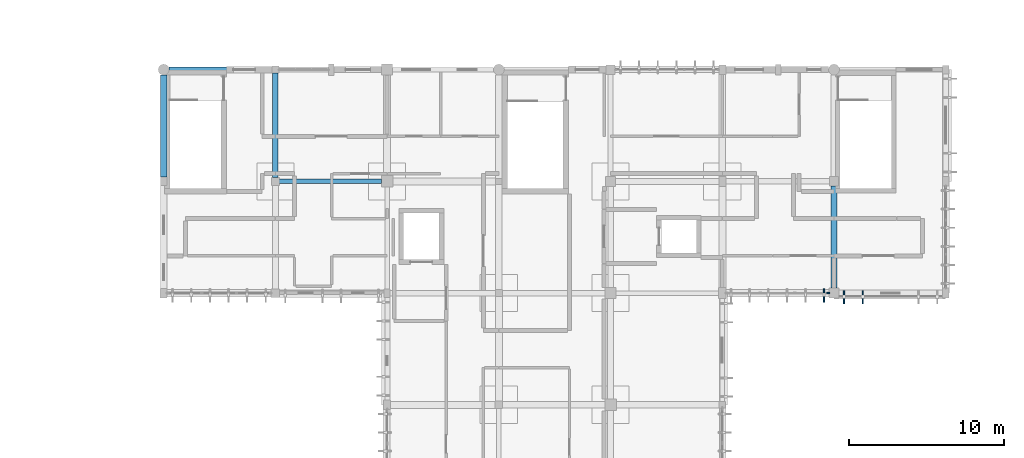
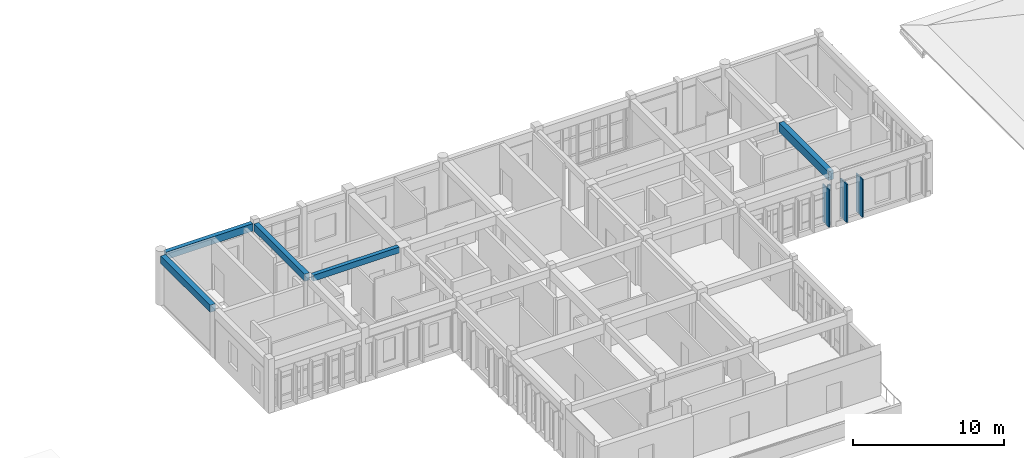
# One storey, part 4 of 19: 5 beams, 4 members, 1 element without a shape of its own.
"""IFC4 building model written with IfcOpenShell, lengths in metres."""

import ifcopenshell
import ifcopenshell.guid

model = None  # the IFC model being written
_history = None  # IfcOwnerHistory: only IFC2X3 demands one
_inside = {}  # id of a spatial element -> (the spatial element, [elements in it])
_under = {}  # id of a project, library or spatial element -> (it, [spatial elements below it])
_declared = {}  # id of a project -> (the project, [libraries it declares])
_typed = {}  # id of a type object -> (the type object, [elements of that type])
_made_of = {}  # id of a material, layer set ... -> (it, [elements and type objects made of it])


def new_model(schema):
    """Start an empty IFC model of exactly this schema.

    Asked for "IFC4X3", IfcOpenShell would pick the latest addendum, in which some entities
    have other attributes; the version numbers below select the first issue.
    IFC2X3 requires an IfcOwnerHistory on every rooted entity: one is made here for all.
    """
    global model, _history
    if schema == "IFC4X3":
        model = ifcopenshell.file(schema_version=(4, 3, 0, 0))
    else:
        model = ifcopenshell.file(schema=schema)
    _inside.clear()
    _under.clear()
    _declared.clear()
    _typed.clear()
    _made_of.clear()
    _history = None
    if model.schema == "IFC2X3":
        org = make("IfcOrganization", Name="unknown")
        user = make(
            "IfcPersonAndOrganization",
            ThePerson=make("IfcPerson", FamilyName="unknown"),
            TheOrganization=org,
        )
        app = make(
            "IfcApplication",
            ApplicationDeveloper=org,
            Version="unknown",
            ApplicationFullName="unknown",
            ApplicationIdentifier="unknown",
        )
        _history = make(
            "IfcOwnerHistory",
            OwningUser=user,
            OwningApplication=app,
            ChangeAction="ADDED",
            CreationDate=0,
        )
    return model


def make(cls, **values):
    """One entity of the class cls with the attributes given. An attribute that is None is left unset."""
    return model.create_entity(
        cls, **{name: value for name, value in values.items() if value is not None}
    )


def rooted(cls, **values):
    """An entity with a GlobalId (a new one), such as an element, a storey or a relation."""
    return make(cls, GlobalId=ifcopenshell.guid.new(), OwnerHistory=_history, **values)


def si_unit(unit_type, name, prefix=None):
    """IfcSIUnit, for example si_unit("LENGTHUNIT", "METRE", prefix="MILLI")."""
    return make("IfcSIUnit", UnitType=unit_type, Prefix=prefix, Name=name)


def assignment(units):
    """IfcUnitAssignment: the units of a project."""
    return None if units is None else make("IfcUnitAssignment", Units=units)


def point(xyz):
    """IfcCartesianPoint."""
    return None if xyz is None else make("IfcCartesianPoint", Coordinates=xyz)


def direction(xyz):
    """IfcDirection."""
    return None if xyz is None else make("IfcDirection", DirectionRatios=xyz)


def frame(location, z_axis=None, x_axis=None):
    """IfcAxis2Placement3D, a coordinate frame: its origin and axes. An axis left out is left unset."""
    return make(
        "IfcAxis2Placement3D",
        Location=point(location),
        Axis=direction(z_axis),
        RefDirection=direction(x_axis),
    )


def frame_2d(location, x_axis=None):
    """IfcAxis2Placement2D, a coordinate frame in the plane: its origin and x axis."""
    return make(
        "IfcAxis2Placement2D", Location=point(location), RefDirection=direction(x_axis)
    )


def origin():
    """The frame at (0, 0, 0) with its axes left unset."""
    return frame((0.0, 0.0, 0.0))


def origin_2d():
    """The frame at (0, 0) in the plane with its x axis left unset."""
    return frame_2d((0.0, 0.0))


def place(relative_to, where):
    """IfcLocalPlacement: puts the frame where relative to a parent placement (None: the world)."""
    return make(
        "IfcLocalPlacement", PlacementRelTo=relative_to, RelativePlacement=where
    )


def context(
    kind, dimensions, precision=None, world=None, true_north=None, identifier=None
):
    """IfcGeometricRepresentationContext, for example the 3D "Model" context."""
    return make(
        "IfcGeometricRepresentationContext",
        ContextIdentifier=identifier,
        ContextType=kind,
        CoordinateSpaceDimension=dimensions,
        Precision=precision,
        WorldCoordinateSystem=world,
        TrueNorth=true_north,
    )


def subcontext(parent, identifier, kind, view, scale=None):
    """IfcGeometricRepresentationSubContext, for example "Body" below "Model"."""
    return make(
        "IfcGeometricRepresentationSubContext",
        ContextIdentifier=identifier,
        ContextType=kind,
        ParentContext=parent,
        TargetScale=scale,
        TargetView=view,
    )


def project(units=None, contexts=None):
    """IfcProject with its units and contexts."""
    return rooted(
        "IfcProject",
        Name="project",
        RepresentationContexts=contexts,
        UnitsInContext=assignment(units),
    )


def spatial(cls, under=None, at=None, **own):
    """A site, building, storey or space (cls), placed at a placement, below another one or the project."""
    s = rooted(cls, ObjectPlacement=at, **own)
    if under is not None:
        _under.setdefault(under.id(), (under, []))[1].append(s)
    return s


def profile(cls, at=None, kind="AREA", **sizes):
    """A parametric profile (cls). Its sizes go by their IFC names, for example OverallWidth=200.0."""
    return make(cls, ProfileType=kind, Position=at, **sizes)


def rectangle(**sizes):
    """IfcRectangleProfileDef."""
    return profile("IfcRectangleProfileDef", **sizes)


def extrude(swept, where, along, depth):
    """IfcExtrudedAreaSolid: the profile swept, set in the frame where, extruded along a direction by depth."""
    return make(
        "IfcExtrudedAreaSolid",
        SweptArea=swept,
        Position=where,
        ExtrudedDirection=direction(along),
        Depth=depth,
    )


def shape(context_of_items, identifier, shape_type, items):
    """IfcShapeRepresentation: the items that make up one representation, for example the "Body"."""
    return make(
        "IfcShapeRepresentation",
        ContextOfItems=context_of_items,
        RepresentationIdentifier=identifier,
        RepresentationType=shape_type,
        Items=items,
    )


def material(Name=None, Category=None):
    """IfcMaterial."""
    return make("IfcMaterial", Name=Name, Category=Category)


def material_profile(
    of_material, cross_section, Name=None, Category=None, Priority=None
):
    """IfcMaterialProfile: a cross section and its material."""
    return make(
        "IfcMaterialProfile",
        Name=Name,
        Material=of_material,
        Profile=cross_section,
        Priority=Priority,
        Category=Category,
    )


def profile_set(profiles, Name=None, composite=None):
    """IfcMaterialProfileSet."""
    return make(
        "IfcMaterialProfileSet",
        Name=Name,
        MaterialProfiles=profiles,
        CompositeProfile=composite,
    )


def made_of(thing, what):
    """Note that an element or type object is made of a material, layer set ...; save() writes the relation."""
    if what is not None:
        _made_of.setdefault(what.id(), (what, []))[1].append(thing)
    return thing


def type_object(cls, material=None, **own):
    """A type object (cls), such as IfcWallType, which elements share."""
    return made_of(rooted(cls, **own), material)


def element(
    cls,
    number,
    at=None,
    inside=None,
    cuts=None,
    type_object=None,
    material=None,
    context=None,
    identifier="Body",
    shape_type=None,
    held_by="IfcProductDefinitionShape",
    body=None,
    shapes=None,
    **own,
):
    """One element of the class cls, such as IfcWall. Its Tag is "e" and its number.

    at: its placement. inside: the storey or other place that contains it. cuts: it is an
    opening in that element (IfcRelVoidsElement). A single representation is given by context,
    identifier, shape_type and body (its items); several are given by shapes. held_by: the class
    of the entity that holds the representations. save() writes the other relations.
    """
    e = rooted(cls, Tag="e%d" % number, ObjectPlacement=at, **own)
    if body is not None:
        shapes = [shape(context, identifier, shape_type, body)]
    if shapes is not None:
        e.Representation = make(held_by, Representations=shapes)
    if inside is not None:
        _inside.setdefault(inside.id(), (inside, []))[1].append(e)
    if cuts is not None:
        rooted(
            "IfcRelVoidsElement", RelatingBuildingElement=cuts, RelatedOpeningElement=e
        )
    if type_object is not None:
        _typed.setdefault(type_object.id(), (type_object, []))[1].append(e)
    return made_of(e, material)


def aggregate(whole, parts):
    """IfcRelAggregates: a whole, such as a stair, and the parts it consists of."""
    return rooted("IfcRelAggregates", RelatingObject=whole, RelatedObjects=parts)


def save(model, path):
    """Write the relations noted so far, then the file.

    IfcRelAggregates (storeys below a building ...), IfcRelContainedInSpatialStructure (elements
    in a storey), IfcRelDefinesByType, IfcRelAssociatesMaterial and IfcRelDeclares: one each for
    every whole, place, type object, material and project.
    """
    for whole, parts in _under.values():
        aggregate(whole, parts)
    for where, things in _inside.values():
        rooted(
            "IfcRelContainedInSpatialStructure",
            RelatedElements=things,
            RelatingStructure=where,
        )
    for kind, things in _typed.values():
        rooted("IfcRelDefinesByType", RelatedObjects=things, RelatingType=kind)
    for what, things in _made_of.values():
        rooted("IfcRelAssociatesMaterial", RelatedObjects=things, RelatingMaterial=what)
    for by, libraries in _declared.values():
        rooted("IfcRelDeclares", RelatingContext=by, RelatedDefinitions=libraries)
    model.write(path)


model = new_model("IFC4")

# Units and contexts
model_context = context("Model", 3, precision=1e-05, world=origin(), true_north=direction((0.0, 1.0)))
body_context = subcontext(model_context, "Body", "Model", "MODEL_VIEW")
ifc_project = project(units=[si_unit("LENGTHUNIT", "METRE"), si_unit("AREAUNIT", "SQUARE_METRE"), si_unit("VOLUMEUNIT", "CUBIC_METRE"), si_unit("PLANEANGLEUNIT", "RADIAN"), si_unit("MASSUNIT", "GRAM", prefix="KILO")], contexts=[model_context])

# Site, building, storey
site_placement = place(None, origin())
site = spatial("IfcSite", under=ifc_project, at=site_placement, CompositionType="ELEMENT")
building_placement = place(site_placement, origin())
building = spatial("IfcBuilding", under=site, at=building_placement, Name="Steenspoor Specialist Clinic", CompositionType="ELEMENT")
storey_placement = place(building_placement, frame((0.0, 0.0, 21.60009765625)))
storey = spatial("IfcBuildingStorey", under=building, at=storey_placement, Name="L05", CompositionType="ELEMENT", Elevation=21.60009765625)

# Beams
ifc_material_1 = material(Name="Concrete C35/45", Category="concrete")
ifc_material_profile_1 = material_profile(ifc_material_1, rectangle(XDim=0.300048828125, YDim=0.47998046875, at=origin_2d()), Name="RC-BM-300X480")
ifc_profile_set_1 = profile_set([ifc_material_profile_1], Name="Concrete C35/45")
beam_type_1 = type_object("IfcBeamType", Name="BM-RC-300X480", PredefinedType="BEAM", material=ifc_profile_set_1)
beam_1_placement = place(storey_placement, frame((67.044921875, 101.14990234375, 3.794921875), z_axis=(1.0, 0.0, 0.0), x_axis=(0.0, 1.0, 0.0)))
element("IfcBeam", 1, at=beam_1_placement, inside=storey, type_object=beam_type_1, Name="BM-V4-L05-X1017", PredefinedType="BEAM", context=body_context, shape_type="SweptSolid", body=[
    extrude(rectangle(XDim=0.300048828125, YDim=0.47998046875, at=origin_2d()), origin(), (0.0, 0.0, 1.0), 6.5849609375),
])
ifc_material_profile_2 = material_profile(ifc_material_1, rectangle(XDim=0.35009765625, YDim=0.580078125, at=origin_2d()), Name="RC-BM-350X580")
ifc_profile_set_2 = profile_set([ifc_material_profile_2], Name="Concrete C35/45")
beam_type_2 = type_object("IfcBeamType", Name="BM-RC-350X580", PredefinedType="BEAM", material=ifc_profile_set_2)
beam_2_placement = place(storey_placement, frame((66.800048828125, 101.39501953125, 3.744873046875), z_axis=(0.0, 1.0, 0.0), x_axis=(-1.0, 0.0, 0.0)))
element("IfcBeam", 2, at=beam_2_placement, inside=storey, type_object=beam_type_2, Name="BM-V4-L05-Y1031", PredefinedType="BEAM", context=body_context, shape_type="SweptSolid", body=[
    extrude(rectangle(XDim=0.35009765625, YDim=0.580078125, at=origin_2d()), origin(), (0.0, 0.0, 1.0), 6.73486328125),
])
ifc_material_profile_3 = material_profile(ifc_material_1, rectangle(XDim=0.39990234375, YDim=0.580078125, at=origin_2d()), Name="RC-BM-400X580")
ifc_profile_set_3 = profile_set([ifc_material_profile_3], Name="Concrete C35/45")
beam_type_3 = type_object("IfcBeamType", Name="BM-RC-400X580", PredefinedType="BEAM", material=ifc_profile_set_3)
beam_3_placement = place(storey_placement, frame((59.60009765625, 101.419921875, 3.744873046875), z_axis=(0.0, 1.0, 0.0), x_axis=(-1.0, 0.0, 0.0)))
element("IfcBeam", 3, at=beam_3_placement, inside=storey, type_object=beam_type_3, Name="BM-V4-L05-Y1029", PredefinedType="BEAM", context=body_context, shape_type="SweptSolid", body=[
    extrude(rectangle(XDim=0.39990234375, YDim=0.580078125, at=origin_2d()), origin(), (0.0, 0.0, 1.0), 6.5849609375),
])
ifc_material_profile_4 = material_profile(ifc_material_1, rectangle(XDim=0.39990234375, YDim=0.699951171875, at=origin_2d()), Name="RC-BM-400X700")
ifc_profile_set_4 = profile_set([ifc_material_profile_4], Name="Concrete C35/45")
beam_type_4 = type_object("IfcBeamType", Name="BM-RC-400X700", PredefinedType="BEAM", material=ifc_profile_set_4)
beam_4_placement = place(storey_placement, frame((102.800048828125, 94.27001953125, 3.684814453125), z_axis=(0.0, 1.0, 0.0), x_axis=(-1.0, 0.0, 0.0)))
element("IfcBeam", 4, at=beam_4_placement, inside=storey, type_object=beam_type_4, Name="BM-V4-L05-Y1048", PredefinedType="BEAM", context=body_context, shape_type="SweptSolid", body=[
    extrude(rectangle(XDim=0.39990234375, YDim=0.699951171875, at=origin_2d()), origin(), (0.0, 0.0, 1.0), 6.5849609375),
])

# Curtain wall, member
ifc_material_2 = material(Name="Thermally broken aluminium and low-emissivity glass", Category="aluminium")
curtain_wall_type = type_object("IfcCurtainWallType", Name="CW-SCR-660X320", PredefinedType="USERDEFINED", material=ifc_material_2)
curtain_wall_placement = place(storey_placement, origin())
curtain_wall = element("IfcCurtainWall", 5, at=curtain_wall_placement, inside=storey, type_object=curtain_wall_type, Name="Unitised Curtain Wall CW-V4-L05-137", ObjectType="UNITISED GLAZING", PredefinedType="USERDEFINED")
ifc_material_3 = material(Name="Thermally broken aluminium 6063-T6", Category="aluminium")
ifc_material_profile_5 = material_profile(ifc_material_3, rectangle(XDim=0.090087890625, YDim=0.199951171875, at=origin_2d()), Name="CWM-90X200")
ifc_profile_set_5 = profile_set([ifc_material_profile_5], Name="Thermally broken aluminium 6063-T6")
member_type_1 = type_object("IfcMemberType", Name="CW-MULL-90X200", PredefinedType="MULLION", material=ifc_profile_set_5)
member_1_placement = place(storey_placement, frame((102.429931640625, 93.949951171875, 0.0), z_axis=(0.0, 0.0, 1.0), x_axis=(0.0, -1.0, 0.0)))
member_1 = element("IfcMember", 6, at=member_1_placement, type_object=member_type_1, Name="CW-17 mullion 1", PredefinedType="MULLION", context=body_context, shape_type="SweptSolid", body=[
    extrude(rectangle(XDim=0.090087890625, YDim=0.199951171875, at=origin_2d()), origin(), (0.0, 0.0, 1.0), 3.2998046875),
])
aggregate(curtain_wall, [member_1])

# Members
ifc_material_4 = material(Name="Glulam GL28h", Category="wood")
ifc_material_profile_6 = material_profile(ifc_material_4, rectangle(XDim=0.090087890625, YDim=0.85009765625, at=origin_2d()), Name="GL28H-90X850")
ifc_profile_set_6 = profile_set([ifc_material_profile_6], Name="Glulam GL28h")
member_type_2 = type_object("IfcMemberType", Name="MEM-SCREEN-GL850", PredefinedType="STRUT", material=ifc_profile_set_6)
for number, where, z_axis, x_axis, name in (
    (7, (104.64990234375, 93.68505859375, 0.27001953125), (0.0, 0.0, 1.0), (-1.0, 0.0, 0.0), "Glulam Timber Screen Fin SCR-FIN-V4-L05-0154"),
    (8, (103.449951171875, 93.68505859375, 0.27001953125), (0.0, 0.0, 1.0), (-1.0, 0.0, 0.0), "Glulam Timber Screen Fin SCR-FIN-V4-L05-0155"),
):
    element("IfcMember", number, at=place(storey_placement, frame(where, z_axis=z_axis, x_axis=x_axis)), inside=storey, type_object=member_type_2, Name=name, PredefinedType="STRUT", context=body_context, shape_type="SweptSolid", body=[
        extrude(rectangle(XDim=0.090087890625, YDim=0.85009765625, at=origin_2d()), origin(), (0.0, 0.0, 1.0), 3.08984375),
    ])
member_2_placement = place(storey_placement, frame((102.16259765625, 93.800048828125, 0.27001953125), z_axis=(0.0, 0.0, 1.0), x_axis=(-1.0, 0.0, 0.0)))
element("IfcMember", 9, at=member_2_placement, inside=storey, type_object=member_type_2, Name="Glulam Timber Screen Fin SCR-FIN-V4-L05-0158", PredefinedType="STRUT", context=body_context, shape_type="SweptSolid", body=[
    extrude(rectangle(XDim=0.090087890625, YDim=0.85009765625, at=origin_2d()), origin(), (0.0, 0.0, 1.0), 3.019775390625),
])

# Beam
ifc_material_profile_7 = material_profile(ifc_material_1, rectangle(XDim=0.320068359375, YDim=0.60009765625, at=origin_2d()), Name="RC-SP-320X600")
ifc_profile_set_7 = profile_set([ifc_material_profile_7], Name="Concrete C35/45")
beam_type_5 = type_object("IfcBeamType", Name="SP-RC-320X600", PredefinedType="SPANDREL", material=ifc_profile_set_7)
beam_5_placement = place(storey_placement, frame((59.945068359375, 108.35009765625, 3.73486328125), z_axis=(1.0, 0.0, 0.0), x_axis=(0.0, 1.0, 0.0)))
element("IfcBeam", 10, at=beam_5_placement, inside=storey, type_object=beam_type_5, Name="BM-V4-L05-X1021", PredefinedType="SPANDREL", context=body_context, shape_type="SweptSolid", body=[
    extrude(rectangle(XDim=0.320068359375, YDim=0.60009765625, at=origin_2d()), origin(), (0.0, 0.0, 1.0), 6.635009765625),
])

save(model, "model.ifc")
